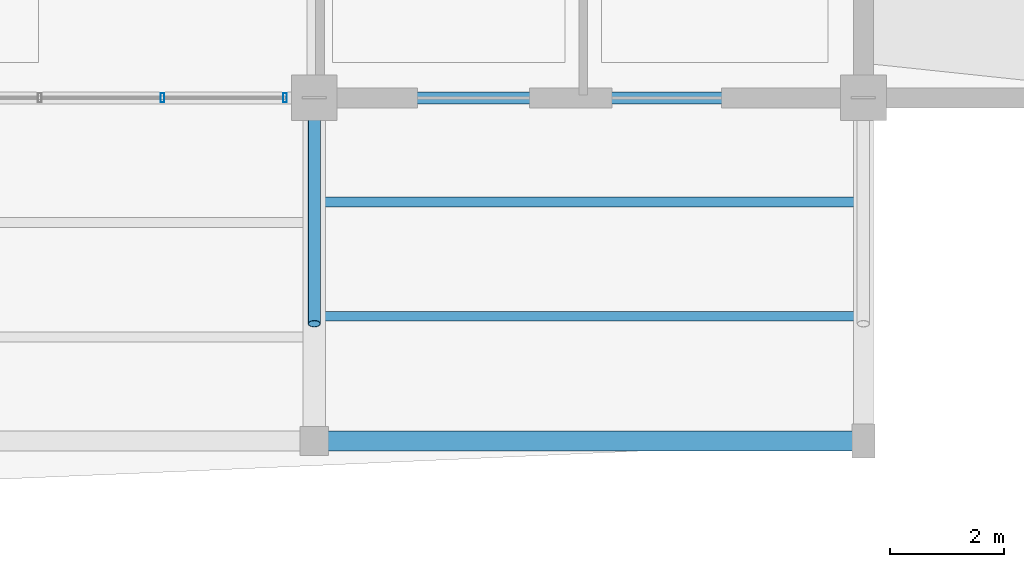
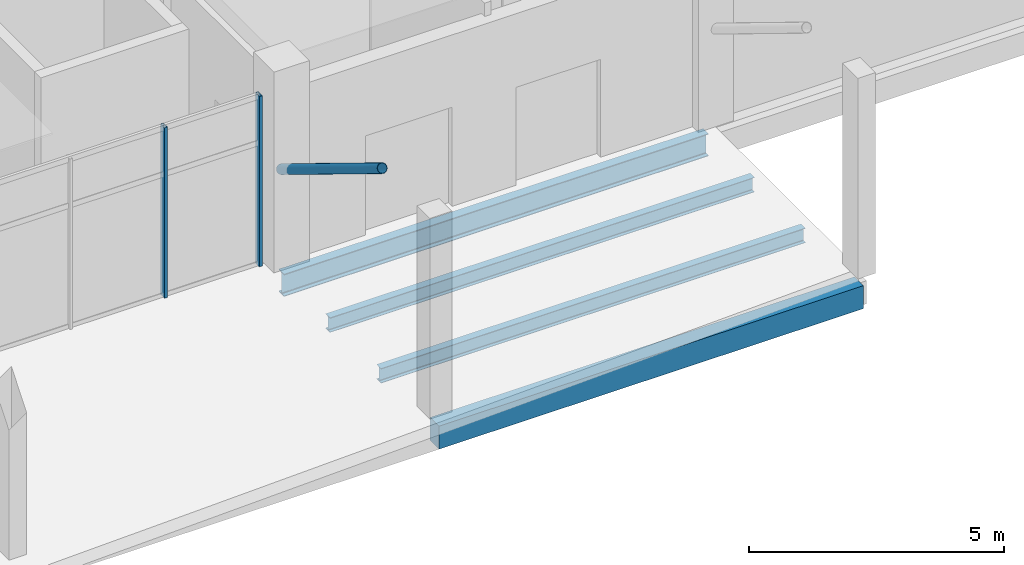
# One storey, part 45 of 116: 4 beams, 3 members, 1 element without a shape of its own.
"""IFC4 building model written with IfcOpenShell, lengths in metres."""

import ifcopenshell
import ifcopenshell.guid

model = None  # the IFC model being written
_history = None  # IfcOwnerHistory: only IFC2X3 demands one
_inside = {}  # id of a spatial element -> (the spatial element, [elements in it])
_under = {}  # id of a project, library or spatial element -> (it, [spatial elements below it])
_declared = {}  # id of a project -> (the project, [libraries it declares])
_typed = {}  # id of a type object -> (the type object, [elements of that type])
_made_of = {}  # id of a material, layer set ... -> (it, [elements and type objects made of it])


def new_model(schema):
    """Start an empty IFC model of exactly this schema.

    Asked for "IFC4X3", IfcOpenShell would pick the latest addendum, in which some entities
    have other attributes; the version numbers below select the first issue.
    IFC2X3 requires an IfcOwnerHistory on every rooted entity: one is made here for all.
    """
    global model, _history
    if schema == "IFC4X3":
        model = ifcopenshell.file(schema_version=(4, 3, 0, 0))
    else:
        model = ifcopenshell.file(schema=schema)
    _inside.clear()
    _under.clear()
    _declared.clear()
    _typed.clear()
    _made_of.clear()
    _history = None
    if model.schema == "IFC2X3":
        org = make("IfcOrganization", Name="unknown")
        user = make(
            "IfcPersonAndOrganization",
            ThePerson=make("IfcPerson", FamilyName="unknown"),
            TheOrganization=org,
        )
        app = make(
            "IfcApplication",
            ApplicationDeveloper=org,
            Version="unknown",
            ApplicationFullName="unknown",
            ApplicationIdentifier="unknown",
        )
        _history = make(
            "IfcOwnerHistory",
            OwningUser=user,
            OwningApplication=app,
            ChangeAction="ADDED",
            CreationDate=0,
        )
    return model


def make(cls, **values):
    """One entity of the class cls with the attributes given. An attribute that is None is left unset."""
    return model.create_entity(
        cls, **{name: value for name, value in values.items() if value is not None}
    )


def rooted(cls, **values):
    """An entity with a GlobalId (a new one), such as an element, a storey or a relation."""
    return make(cls, GlobalId=ifcopenshell.guid.new(), OwnerHistory=_history, **values)


def si_unit(unit_type, name, prefix=None):
    """IfcSIUnit, for example si_unit("LENGTHUNIT", "METRE", prefix="MILLI")."""
    return make("IfcSIUnit", UnitType=unit_type, Prefix=prefix, Name=name)


def assignment(units):
    """IfcUnitAssignment: the units of a project."""
    return None if units is None else make("IfcUnitAssignment", Units=units)


def point(xyz):
    """IfcCartesianPoint."""
    return None if xyz is None else make("IfcCartesianPoint", Coordinates=xyz)


def direction(xyz):
    """IfcDirection."""
    return None if xyz is None else make("IfcDirection", DirectionRatios=xyz)


def frame(location, z_axis=None, x_axis=None):
    """IfcAxis2Placement3D, a coordinate frame: its origin and axes. An axis left out is left unset."""
    return make(
        "IfcAxis2Placement3D",
        Location=point(location),
        Axis=direction(z_axis),
        RefDirection=direction(x_axis),
    )


def frame_2d(location, x_axis=None):
    """IfcAxis2Placement2D, a coordinate frame in the plane: its origin and x axis."""
    return make(
        "IfcAxis2Placement2D", Location=point(location), RefDirection=direction(x_axis)
    )


def origin():
    """The frame at (0, 0, 0) with its axes left unset."""
    return frame((0.0, 0.0, 0.0))


def origin_2d():
    """The frame at (0, 0) in the plane with its x axis left unset."""
    return frame_2d((0.0, 0.0))


def place(relative_to, where):
    """IfcLocalPlacement: puts the frame where relative to a parent placement (None: the world)."""
    return make(
        "IfcLocalPlacement", PlacementRelTo=relative_to, RelativePlacement=where
    )


def context(
    kind, dimensions, precision=None, world=None, true_north=None, identifier=None
):
    """IfcGeometricRepresentationContext, for example the 3D "Model" context."""
    return make(
        "IfcGeometricRepresentationContext",
        ContextIdentifier=identifier,
        ContextType=kind,
        CoordinateSpaceDimension=dimensions,
        Precision=precision,
        WorldCoordinateSystem=world,
        TrueNorth=true_north,
    )


def subcontext(parent, identifier, kind, view, scale=None):
    """IfcGeometricRepresentationSubContext, for example "Body" below "Model"."""
    return make(
        "IfcGeometricRepresentationSubContext",
        ContextIdentifier=identifier,
        ContextType=kind,
        ParentContext=parent,
        TargetScale=scale,
        TargetView=view,
    )


def project(units=None, contexts=None):
    """IfcProject with its units and contexts."""
    return rooted(
        "IfcProject",
        Name="project",
        RepresentationContexts=contexts,
        UnitsInContext=assignment(units),
    )


def spatial(cls, under=None, at=None, **own):
    """A site, building, storey or space (cls), placed at a placement, below another one or the project."""
    s = rooted(cls, ObjectPlacement=at, **own)
    if under is not None:
        _under.setdefault(under.id(), (under, []))[1].append(s)
    return s


def profile(cls, at=None, kind="AREA", **sizes):
    """A parametric profile (cls). Its sizes go by their IFC names, for example OverallWidth=200.0."""
    return make(cls, ProfileType=kind, Position=at, **sizes)


def rectangle(**sizes):
    """IfcRectangleProfileDef."""
    return profile("IfcRectangleProfileDef", **sizes)


def hollow_rectangle(**sizes):
    """IfcRectangleHollowProfileDef."""
    return profile("IfcRectangleHollowProfileDef", **sizes)


def hollow_circle(**sizes):
    """IfcCircleHollowProfileDef."""
    return profile("IfcCircleHollowProfileDef", **sizes)


def i_section(**sizes):
    """IfcIShapeProfileDef."""
    return profile("IfcIShapeProfileDef", **sizes)


def extrude(swept, where, along, depth):
    """IfcExtrudedAreaSolid: the profile swept, set in the frame where, extruded along a direction by depth."""
    return make(
        "IfcExtrudedAreaSolid",
        SweptArea=swept,
        Position=where,
        ExtrudedDirection=direction(along),
        Depth=depth,
    )


def shape(context_of_items, identifier, shape_type, items):
    """IfcShapeRepresentation: the items that make up one representation, for example the "Body"."""
    return make(
        "IfcShapeRepresentation",
        ContextOfItems=context_of_items,
        RepresentationIdentifier=identifier,
        RepresentationType=shape_type,
        Items=items,
    )


def material(Name=None, Category=None):
    """IfcMaterial."""
    return make("IfcMaterial", Name=Name, Category=Category)


def layer(
    of_material, thickness, ventilated=None, Name=None, Category=None, Priority=None
):
    """IfcMaterialLayer: one layer of a wall or slab, of a material (None: an air gap)."""
    return make(
        "IfcMaterialLayer",
        Material=of_material,
        LayerThickness=thickness,
        IsVentilated=ventilated,
        Name=Name,
        Category=Category,
        Priority=Priority,
    )


def layer_set(layers, Name=None):
    """IfcMaterialLayerSet."""
    return make("IfcMaterialLayerSet", MaterialLayers=layers, LayerSetName=Name)


def material_profile(
    of_material, cross_section, Name=None, Category=None, Priority=None
):
    """IfcMaterialProfile: a cross section and its material."""
    return make(
        "IfcMaterialProfile",
        Name=Name,
        Material=of_material,
        Profile=cross_section,
        Priority=Priority,
        Category=Category,
    )


def profile_set(profiles, Name=None, composite=None):
    """IfcMaterialProfileSet."""
    return make(
        "IfcMaterialProfileSet",
        Name=Name,
        MaterialProfiles=profiles,
        CompositeProfile=composite,
    )


def made_of(thing, what):
    """Note that an element or type object is made of a material, layer set ...; save() writes the relation."""
    if what is not None:
        _made_of.setdefault(what.id(), (what, []))[1].append(thing)
    return thing


def type_object(cls, material=None, **own):
    """A type object (cls), such as IfcWallType, which elements share."""
    return made_of(rooted(cls, **own), material)


def element(
    cls,
    number,
    at=None,
    inside=None,
    cuts=None,
    type_object=None,
    material=None,
    context=None,
    identifier="Body",
    shape_type=None,
    held_by="IfcProductDefinitionShape",
    body=None,
    shapes=None,
    **own,
):
    """One element of the class cls, such as IfcWall. Its Tag is "e" and its number.

    at: its placement. inside: the storey or other place that contains it. cuts: it is an
    opening in that element (IfcRelVoidsElement). A single representation is given by context,
    identifier, shape_type and body (its items); several are given by shapes. held_by: the class
    of the entity that holds the representations. save() writes the other relations.
    """
    e = rooted(cls, Tag="e%d" % number, ObjectPlacement=at, **own)
    if body is not None:
        shapes = [shape(context, identifier, shape_type, body)]
    if shapes is not None:
        e.Representation = make(held_by, Representations=shapes)
    if inside is not None:
        _inside.setdefault(inside.id(), (inside, []))[1].append(e)
    if cuts is not None:
        rooted(
            "IfcRelVoidsElement", RelatingBuildingElement=cuts, RelatedOpeningElement=e
        )
    if type_object is not None:
        _typed.setdefault(type_object.id(), (type_object, []))[1].append(e)
    return made_of(e, material)


def aggregate(whole, parts):
    """IfcRelAggregates: a whole, such as a stair, and the parts it consists of."""
    return rooted("IfcRelAggregates", RelatingObject=whole, RelatedObjects=parts)


def save(model, path):
    """Write the relations noted so far, then the file.

    IfcRelAggregates (storeys below a building ...), IfcRelContainedInSpatialStructure (elements
    in a storey), IfcRelDefinesByType, IfcRelAssociatesMaterial and IfcRelDeclares: one each for
    every whole, place, type object, material and project.
    """
    for whole, parts in _under.values():
        aggregate(whole, parts)
    for where, things in _inside.values():
        rooted(
            "IfcRelContainedInSpatialStructure",
            RelatedElements=things,
            RelatingStructure=where,
        )
    for kind, things in _typed.values():
        rooted("IfcRelDefinesByType", RelatedObjects=things, RelatingType=kind)
    for what, things in _made_of.values():
        rooted("IfcRelAssociatesMaterial", RelatedObjects=things, RelatingMaterial=what)
    for by, libraries in _declared.values():
        rooted("IfcRelDeclares", RelatingContext=by, RelatedDefinitions=libraries)
    model.write(path)


model = new_model("IFC4")

# Units and contexts
model_context = context("Model", 3, precision=1e-05, world=origin(), true_north=direction((0.0, 1.0)))
body_context = subcontext(model_context, "Body", "Model", "MODEL_VIEW")
ifc_project = project(units=[si_unit("LENGTHUNIT", "METRE"), si_unit("AREAUNIT", "SQUARE_METRE"), si_unit("VOLUMEUNIT", "CUBIC_METRE"), si_unit("PLANEANGLEUNIT", "RADIAN"), si_unit("MASSUNIT", "GRAM", prefix="KILO")], contexts=[model_context])

# Site, building, storey
site_placement = place(None, origin())
site = spatial("IfcSite", under=ifc_project, at=site_placement, CompositionType="ELEMENT")
building_placement = place(site_placement, origin())
building = spatial("IfcBuilding", under=site, at=building_placement, Name="Chalmorin Arch Market", CompositionType="ELEMENT")
storey_placement = place(building_placement, origin())
storey = spatial("IfcBuildingStorey", under=building, at=storey_placement, Name="L00", CompositionType="ELEMENT", Elevation=0.0)

# Member
ifc_material_1 = material(Name="Steel A500 Grade C", Category="steel")
ifc_material_profile_1 = material_profile(ifc_material_1, hollow_circle(Radius=0.109619140625, WallThickness=0.00830078125, at=origin_2d()), Name="CHS219X8")
ifc_profile_set_1 = profile_set([ifc_material_profile_1], Name="Steel A500 Grade C")
member_type_1 = type_object("IfcMemberType", Name="CanopyRakingStrut-CHS219", PredefinedType="STRUT", material=ifc_profile_set_1)
member_1_placement = place(storey_placement, frame((115.199951171875, 6.0, 2.10009765625), z_axis=(0.0, -0.852698951307, 0.522402621012), x_axis=(1.0, 0.0, 0.0)))
element("IfcMember", 1, at=member_1_placement, inside=storey, type_object=member_type_1, Name="ST-CH219-0013", PredefinedType="STRUT", context=body_context, shape_type="SweptSolid", body=[
    extrude(hollow_circle(Radius=0.109619140625, WallThickness=0.00830078125, at=origin_2d()), origin(), (0.0, 0.0, 1.0), 4.63232421875),
])

# Curtain wall, members
ifc_material_2 = material(Name="Aluminium 6063-T6", Category="aluminium")
ifc_layer = layer(ifc_material_2, 0.159912109375)
ifc_layer_set = layer_set([ifc_layer], Name="Aluminium 6063-T6")
curtain_wall_type = type_object("IfcCurtainWallType", Name="RiverfrontStorefrontCurtainWall-CW2-8580x4080", PredefinedType="NOTDEFINED", material=ifc_layer_set)
curtain_wall_placement = place(storey_placement, origin())
curtain_wall = element("IfcCurtainWall", 2, at=curtain_wall_placement, inside=storey, type_object=curtain_wall_type, Name="CW-02-019", PredefinedType="NOTDEFINED")
ifc_material_profile_2 = material_profile(ifc_material_2, hollow_rectangle(XDim=0.06494140625, YDim=0.159912109375, WallThickness=0.00390625, at=origin_2d()), Name="ALU65X160X4")
ifc_profile_set_2 = profile_set([ifc_material_profile_2], Name="Aluminium 6063-T6")
member_type_2 = type_object("IfcMemberType", Name="CurtainWallMullion-65x160", PredefinedType="MULLION", material=ifc_profile_set_2)
member_2_placement = place(storey_placement, frame((112.544921875, 6.0, 0.0), z_axis=(0.0, 0.0, 1.0), x_axis=(1.0, 0.0, 0.0)))
member_2 = element("IfcMember", 3, at=member_2_placement, type_object=member_type_2, Name="ML-019-04", PredefinedType="MULLION", context=body_context, shape_type="SweptSolid", body=[
    extrude(hollow_rectangle(XDim=0.06494140625, YDim=0.159912109375, WallThickness=0.00390625, at=origin_2d()), origin(), (0.0, 0.0, 1.0), 4.075927734375),
])
member_3_placement = place(storey_placement, frame((114.68994140625, 6.0, 0.0), z_axis=(0.0, 0.0, 1.0), x_axis=(1.0, 0.0, 0.0)))
member_3 = element("IfcMember", 4, at=member_3_placement, type_object=member_type_2, Name="ML-019-05", PredefinedType="MULLION", context=body_context, shape_type="SweptSolid", body=[
    extrude(hollow_rectangle(XDim=0.06494140625, YDim=0.159912109375, WallThickness=0.00390625, at=origin_2d()), origin(), (0.0, 0.0, 1.0), 4.075927734375),
])
aggregate(curtain_wall, [member_2, member_3])

# Beams
ifc_material_3 = material(Name="Steel A992 Grade 50", Category="steel")
ifc_material_profile_3 = material_profile(ifc_material_3, i_section(OverallWidth=0.208984375, OverallDepth=0.532958984375, WebThickness=0.01025390625, FlangeThickness=0.015625, FilletRadius=0.02197265625, at=origin_2d()), Name="W21X62")
ifc_profile_set_3 = profile_set([ifc_material_profile_3], Name="Steel A992 Grade 50")
beam_type_1 = type_object("IfcBeamType", Name="PerimeterSpandrelBeam-W21X62", PredefinedType="SPANDREL", material=ifc_profile_set_3)
beam_1_placement = place(storey_placement, frame((115.199951171875, 6.0, -0.618408203125), z_axis=(1.0, 0.0, 0.0), x_axis=(0.0, 1.0, 0.0)))
element("IfcBeam", 5, at=beam_1_placement, inside=storey, type_object=beam_type_1, Name="SP-W21-0098", PredefinedType="SPANDREL", context=body_context, shape_type="SweptSolid", body=[
    extrude(i_section(OverallWidth=0.208984375, OverallDepth=0.532958984375, WebThickness=0.01025390625, FlangeThickness=0.015625, FilletRadius=0.02197265625, at=origin_2d()), origin(), (0.0, 0.0, 1.0), 9.60009765625),
])
ifc_material_profile_4 = material_profile(ifc_material_3, i_section(OverallWidth=0.1708984375, OverallDepth=0.35107421875, WebThickness=0.0068359375, FlangeThickness=0.009765625, FilletRadius=0.014892578125, at=origin_2d()), Name="W14X30")
ifc_profile_set_4 = profile_set([ifc_material_profile_4], Name="Steel A992 Grade 50")
beam_type_2 = type_object("IfcBeamType", Name="SecondaryFloorJoist-W14X30", PredefinedType="JOIST", material=ifc_profile_set_4)
for number, where, z_axis, x_axis, name in (
    (6, (115.199951171875, 2.179931640625, -0.4775390625), (1.0, 0.0, 0.0), (0.0, 1.0, 0.0), "BJ-W14-0598"),
    (7, (115.199951171875, 4.179931640625, -0.4775390625), (1.0, 0.0, 0.0), (0.0, 1.0, 0.0), "BJ-W14-0599"),
):
    element("IfcBeam", number, at=place(storey_placement, frame(where, z_axis=z_axis, x_axis=x_axis)), inside=storey, type_object=beam_type_2, Name=name, PredefinedType="JOIST", context=body_context, shape_type="SweptSolid", body=[
        extrude(i_section(OverallWidth=0.1708984375, OverallDepth=0.35107421875, WebThickness=0.0068359375, FlangeThickness=0.009765625, FilletRadius=0.014892578125, at=origin_2d()), origin(), (0.0, 0.0, 1.0), 9.60009765625),
    ])
ifc_material_4 = material(Name="Concrete C40/50", Category="concrete")
ifc_material_profile_5 = material_profile(ifc_material_4, rectangle(XDim=0.35009765625, YDim=0.550048828125, at=origin_2d()), Name="RC350X550")
ifc_profile_set_5 = profile_set([ifc_material_profile_5], Name="Concrete C40/50")
beam_type_3 = type_object("IfcBeamType", Name="TerraceEdgeBeam-350x550", PredefinedType="SPANDREL", material=ifc_profile_set_5)
beam_2_placement = place(storey_placement, frame((115.199951171875, 0.0, -0.576904296875), z_axis=(1.0, 0.0, 0.0), x_axis=(0.0, 1.0, 0.0)))
element("IfcBeam", 8, at=beam_2_placement, inside=storey, type_object=beam_type_3, Name="SP-RC1-0572", PredefinedType="SPANDREL", context=body_context, shape_type="SweptSolid", body=[
    extrude(rectangle(XDim=0.35009765625, YDim=0.550048828125, at=origin_2d()), origin(), (0.0, 0.0, 1.0), 9.60009765625),
])

save(model, "model.ifc")
